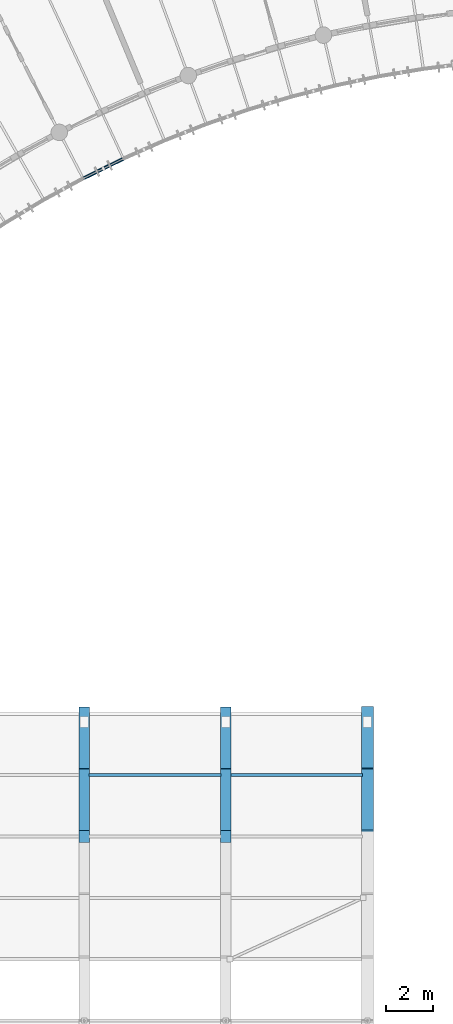
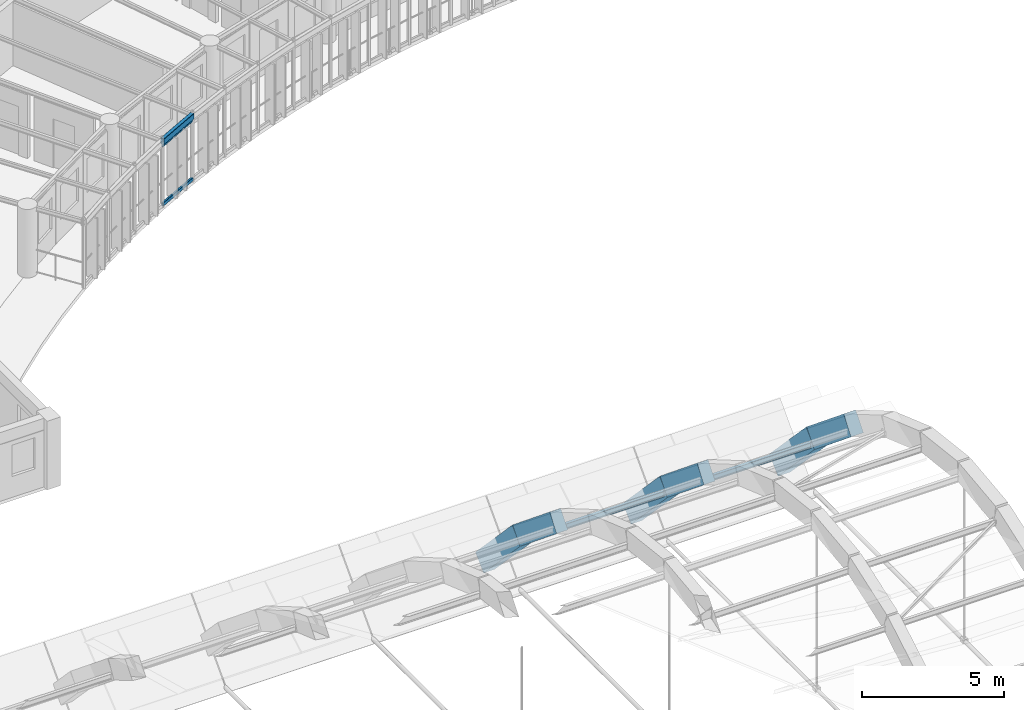
# One storey, part 43 of 123: 9 beams, 2 members.
"""IFC4 building model written with IfcOpenShell, lengths in metres."""

import ifcopenshell
import ifcopenshell.guid

model = None  # the IFC model being written
_history = None  # IfcOwnerHistory: only IFC2X3 demands one
_inside = {}  # id of a spatial element -> (the spatial element, [elements in it])
_under = {}  # id of a project, library or spatial element -> (it, [spatial elements below it])
_declared = {}  # id of a project -> (the project, [libraries it declares])
_typed = {}  # id of a type object -> (the type object, [elements of that type])
_made_of = {}  # id of a material, layer set ... -> (it, [elements and type objects made of it])


def new_model(schema):
    """Start an empty IFC model of exactly this schema.

    Asked for "IFC4X3", IfcOpenShell would pick the latest addendum, in which some entities
    have other attributes; the version numbers below select the first issue.
    IFC2X3 requires an IfcOwnerHistory on every rooted entity: one is made here for all.
    """
    global model, _history
    if schema == "IFC4X3":
        model = ifcopenshell.file(schema_version=(4, 3, 0, 0))
    else:
        model = ifcopenshell.file(schema=schema)
    _inside.clear()
    _under.clear()
    _declared.clear()
    _typed.clear()
    _made_of.clear()
    _history = None
    if model.schema == "IFC2X3":
        org = make("IfcOrganization", Name="unknown")
        user = make(
            "IfcPersonAndOrganization",
            ThePerson=make("IfcPerson", FamilyName="unknown"),
            TheOrganization=org,
        )
        app = make(
            "IfcApplication",
            ApplicationDeveloper=org,
            Version="unknown",
            ApplicationFullName="unknown",
            ApplicationIdentifier="unknown",
        )
        _history = make(
            "IfcOwnerHistory",
            OwningUser=user,
            OwningApplication=app,
            ChangeAction="ADDED",
            CreationDate=0,
        )
    return model


def make(cls, **values):
    """One entity of the class cls with the attributes given. An attribute that is None is left unset."""
    return model.create_entity(
        cls, **{name: value for name, value in values.items() if value is not None}
    )


def rooted(cls, **values):
    """An entity with a GlobalId (a new one), such as an element, a storey or a relation."""
    return make(cls, GlobalId=ifcopenshell.guid.new(), OwnerHistory=_history, **values)


def si_unit(unit_type, name, prefix=None):
    """IfcSIUnit, for example si_unit("LENGTHUNIT", "METRE", prefix="MILLI")."""
    return make("IfcSIUnit", UnitType=unit_type, Prefix=prefix, Name=name)


def assignment(units):
    """IfcUnitAssignment: the units of a project."""
    return None if units is None else make("IfcUnitAssignment", Units=units)


def point(xyz):
    """IfcCartesianPoint."""
    return None if xyz is None else make("IfcCartesianPoint", Coordinates=xyz)


def direction(xyz):
    """IfcDirection."""
    return None if xyz is None else make("IfcDirection", DirectionRatios=xyz)


def frame(location, z_axis=None, x_axis=None):
    """IfcAxis2Placement3D, a coordinate frame: its origin and axes. An axis left out is left unset."""
    return make(
        "IfcAxis2Placement3D",
        Location=point(location),
        Axis=direction(z_axis),
        RefDirection=direction(x_axis),
    )


def frame_2d(location, x_axis=None):
    """IfcAxis2Placement2D, a coordinate frame in the plane: its origin and x axis."""
    return make(
        "IfcAxis2Placement2D", Location=point(location), RefDirection=direction(x_axis)
    )


def origin():
    """The frame at (0, 0, 0) with its axes left unset."""
    return frame((0.0, 0.0, 0.0))


def origin_2d():
    """The frame at (0, 0) in the plane with its x axis left unset."""
    return frame_2d((0.0, 0.0))


def place(relative_to, where):
    """IfcLocalPlacement: puts the frame where relative to a parent placement (None: the world)."""
    return make(
        "IfcLocalPlacement", PlacementRelTo=relative_to, RelativePlacement=where
    )


def context(
    kind, dimensions, precision=None, world=None, true_north=None, identifier=None
):
    """IfcGeometricRepresentationContext, for example the 3D "Model" context."""
    return make(
        "IfcGeometricRepresentationContext",
        ContextIdentifier=identifier,
        ContextType=kind,
        CoordinateSpaceDimension=dimensions,
        Precision=precision,
        WorldCoordinateSystem=world,
        TrueNorth=true_north,
    )


def subcontext(parent, identifier, kind, view, scale=None):
    """IfcGeometricRepresentationSubContext, for example "Body" below "Model"."""
    return make(
        "IfcGeometricRepresentationSubContext",
        ContextIdentifier=identifier,
        ContextType=kind,
        ParentContext=parent,
        TargetScale=scale,
        TargetView=view,
    )


def project(units=None, contexts=None):
    """IfcProject with its units and contexts."""
    return rooted(
        "IfcProject",
        Name="project",
        RepresentationContexts=contexts,
        UnitsInContext=assignment(units),
    )


def spatial(cls, under=None, at=None, **own):
    """A site, building, storey or space (cls), placed at a placement, below another one or the project."""
    s = rooted(cls, ObjectPlacement=at, **own)
    if under is not None:
        _under.setdefault(under.id(), (under, []))[1].append(s)
    return s


def profile(cls, at=None, kind="AREA", **sizes):
    """A parametric profile (cls). Its sizes go by their IFC names, for example OverallWidth=200.0."""
    return make(cls, ProfileType=kind, Position=at, **sizes)


def rectangle(**sizes):
    """IfcRectangleProfileDef."""
    return profile("IfcRectangleProfileDef", **sizes)


def hollow_rectangle(**sizes):
    """IfcRectangleHollowProfileDef."""
    return profile("IfcRectangleHollowProfileDef", **sizes)


def i_section(**sizes):
    """IfcIShapeProfileDef."""
    return profile("IfcIShapeProfileDef", **sizes)


def extrude(swept, where, along, depth):
    """IfcExtrudedAreaSolid: the profile swept, set in the frame where, extruded along a direction by depth."""
    return make(
        "IfcExtrudedAreaSolid",
        SweptArea=swept,
        Position=where,
        ExtrudedDirection=direction(along),
        Depth=depth,
    )


def shape(context_of_items, identifier, shape_type, items):
    """IfcShapeRepresentation: the items that make up one representation, for example the "Body"."""
    return make(
        "IfcShapeRepresentation",
        ContextOfItems=context_of_items,
        RepresentationIdentifier=identifier,
        RepresentationType=shape_type,
        Items=items,
    )


def material(Name=None, Category=None):
    """IfcMaterial."""
    return make("IfcMaterial", Name=Name, Category=Category)


def material_profile(
    of_material, cross_section, Name=None, Category=None, Priority=None
):
    """IfcMaterialProfile: a cross section and its material."""
    return make(
        "IfcMaterialProfile",
        Name=Name,
        Material=of_material,
        Profile=cross_section,
        Priority=Priority,
        Category=Category,
    )


def profile_set(profiles, Name=None, composite=None):
    """IfcMaterialProfileSet."""
    return make(
        "IfcMaterialProfileSet",
        Name=Name,
        MaterialProfiles=profiles,
        CompositeProfile=composite,
    )


def made_of(thing, what):
    """Note that an element or type object is made of a material, layer set ...; save() writes the relation."""
    if what is not None:
        _made_of.setdefault(what.id(), (what, []))[1].append(thing)
    return thing


def type_object(cls, material=None, **own):
    """A type object (cls), such as IfcWallType, which elements share."""
    return made_of(rooted(cls, **own), material)


def element(
    cls,
    number,
    at=None,
    inside=None,
    cuts=None,
    type_object=None,
    material=None,
    context=None,
    identifier="Body",
    shape_type=None,
    held_by="IfcProductDefinitionShape",
    body=None,
    shapes=None,
    **own,
):
    """One element of the class cls, such as IfcWall. Its Tag is "e" and its number.

    at: its placement. inside: the storey or other place that contains it. cuts: it is an
    opening in that element (IfcRelVoidsElement). A single representation is given by context,
    identifier, shape_type and body (its items); several are given by shapes. held_by: the class
    of the entity that holds the representations. save() writes the other relations.
    """
    e = rooted(cls, Tag="e%d" % number, ObjectPlacement=at, **own)
    if body is not None:
        shapes = [shape(context, identifier, shape_type, body)]
    if shapes is not None:
        e.Representation = make(held_by, Representations=shapes)
    if inside is not None:
        _inside.setdefault(inside.id(), (inside, []))[1].append(e)
    if cuts is not None:
        rooted(
            "IfcRelVoidsElement", RelatingBuildingElement=cuts, RelatedOpeningElement=e
        )
    if type_object is not None:
        _typed.setdefault(type_object.id(), (type_object, []))[1].append(e)
    return made_of(e, material)


def aggregate(whole, parts):
    """IfcRelAggregates: a whole, such as a stair, and the parts it consists of."""
    return rooted("IfcRelAggregates", RelatingObject=whole, RelatedObjects=parts)


def save(model, path):
    """Write the relations noted so far, then the file.

    IfcRelAggregates (storeys below a building ...), IfcRelContainedInSpatialStructure (elements
    in a storey), IfcRelDefinesByType, IfcRelAssociatesMaterial and IfcRelDeclares: one each for
    every whole, place, type object, material and project.
    """
    for whole, parts in _under.values():
        aggregate(whole, parts)
    for where, things in _inside.values():
        rooted(
            "IfcRelContainedInSpatialStructure",
            RelatedElements=things,
            RelatingStructure=where,
        )
    for kind, things in _typed.values():
        rooted("IfcRelDefinesByType", RelatedObjects=things, RelatingType=kind)
    for what, things in _made_of.values():
        rooted("IfcRelAssociatesMaterial", RelatedObjects=things, RelatingMaterial=what)
    for by, libraries in _declared.values():
        rooted("IfcRelDeclares", RelatingContext=by, RelatedDefinitions=libraries)
    model.write(path)


model = new_model("IFC4")

# Units and contexts
model_context = context("Model", 3, precision=1e-05, world=origin(), true_north=direction((0.0, 1.0)))
body_context = subcontext(model_context, "Body", "Model", "MODEL_VIEW")
ifc_project = project(units=[si_unit("LENGTHUNIT", "METRE"), si_unit("AREAUNIT", "SQUARE_METRE"), si_unit("VOLUMEUNIT", "CUBIC_METRE"), si_unit("PLANEANGLEUNIT", "RADIAN"), si_unit("MASSUNIT", "GRAM", prefix="KILO"), si_unit("POWERUNIT", "WATT"), si_unit("THERMODYNAMICTEMPERATUREUNIT", "KELVIN")], contexts=[model_context])

# Site, building, storey
site_placement = place(None, origin())
site = spatial("IfcSite", under=ifc_project, at=site_placement, CompositionType="ELEMENT")
building_placement = place(site_placement, origin())
building = spatial("IfcBuilding", under=site, at=building_placement, Name="Ruvembo Vaulted Housing Court", CompositionType="ELEMENT")
storey_placement = place(building_placement, frame((0.0, 0.0, 7.699951171875)))
storey = spatial("IfcBuildingStorey", under=building, at=storey_placement, Name="L02", CompositionType="ELEMENT", Elevation=7.699951171875)

# Beams
ifc_material_1 = material(Name="Concrete C35/45", Category="concrete")
ifc_material_profile_1 = material_profile(ifc_material_1, rectangle(XDim=0.449951171875, YDim=0.800048828125, at=origin_2d()), Name="RC 450x800")
ifc_profile_set_1 = profile_set([ifc_material_profile_1], Name="Concrete C35/45")
beam_type_1 = type_object("IfcBeamType", Name="AR-RC-450x800", PredefinedType="BEAM", material=ifc_profile_set_1)
beam_1_placement = place(storey_placement, frame((96.0, 62.800048828125, 3.364013671875), z_axis=(0.0, 0.773843967543, -0.633376281445), x_axis=(-1.0, 0.0, 0.0)))
element("IfcBeam", 1, at=beam_1_placement, inside=storey, type_object=beam_type_1, Name="Community Hall Parabolic Arch Rib AR-06 Seg 9", PredefinedType="BEAM", context=body_context, shape_type="SweptSolid", body=[
    extrude(rectangle(XDim=0.449951171875, YDim=0.800048828125, at=origin_2d()), origin(), (0.0, 0.0, 1.0), 3.359619140625),
])
beam_2_placement = place(storey_placement, frame((96.0, 65.39990234375, 1.236083984375), z_axis=(0.0, 0.688863348141, -0.724891224659), x_axis=(-1.0, 0.0, 0.0)))
element("IfcBeam", 2, at=beam_2_placement, inside=storey, type_object=beam_type_1, Name="Community Hall Parabolic Arch Rib AR-06 Seg 10", PredefinedType="BEAM", context=body_context, shape_type="SweptSolid", body=[
    extrude(rectangle(XDim=0.449951171875, YDim=0.800048828125, at=origin_2d()), origin(), (0.0, 0.0, 1.0), 3.7744140625),
])
beam_3_placement = place(storey_placement, frame((102.0, 62.800048828125, 3.364013671875), z_axis=(0.0, 0.773843967543, -0.633376281445), x_axis=(-1.0, 0.0, 0.0)))
element("IfcBeam", 3, at=beam_3_placement, inside=storey, type_object=beam_type_1, Name="Community Hall Parabolic Arch Rib AR-07 Seg 9", PredefinedType="BEAM", context=body_context, shape_type="SweptSolid", body=[
    extrude(rectangle(XDim=0.449951171875, YDim=0.800048828125, at=origin_2d()), origin(), (0.0, 0.0, 1.0), 3.359619140625),
])
beam_4_placement = place(storey_placement, frame((102.0, 65.39990234375, 1.236083984375), z_axis=(0.0, 0.688863348141, -0.724891224659), x_axis=(-1.0, 0.0, 0.0)))
element("IfcBeam", 4, at=beam_4_placement, inside=storey, type_object=beam_type_1, Name="Community Hall Parabolic Arch Rib AR-07 Seg 10", PredefinedType="BEAM", context=body_context, shape_type="SweptSolid", body=[
    extrude(rectangle(XDim=0.449951171875, YDim=0.800048828125, at=origin_2d()), origin(), (0.0, 0.0, 1.0), 3.7744140625),
])
ifc_material_profile_2 = material_profile(ifc_material_1, rectangle(XDim=0.5, YDim=0.85009765625, at=origin_2d()), Name="RC 500x850")
ifc_profile_set_2 = profile_set([ifc_material_profile_2], Name="Concrete C35/45")
beam_type_2 = type_object("IfcBeamType", Name="AR-RC-500x850", PredefinedType="BEAM", material=ifc_profile_set_2)
beam_5_placement = place(storey_placement, frame((108.0, 62.800048828125, 3.364013671875), z_axis=(0.0, 0.773843967543, -0.633376281445), x_axis=(-1.0, 0.0, 0.0)))
element("IfcBeam", 5, at=beam_5_placement, inside=storey, type_object=beam_type_2, Name="Community Hall Parabolic Arch Rib AR-08 Seg 9", PredefinedType="BEAM", context=body_context, shape_type="SweptSolid", body=[
    extrude(rectangle(XDim=0.5, YDim=0.85009765625, at=origin_2d()), origin(), (0.0, 0.0, 1.0), 3.359619140625),
])
beam_6_placement = place(storey_placement, frame((108.0, 65.39990234375, 1.236083984375), z_axis=(0.0, 0.688863348141, -0.724891224659), x_axis=(-1.0, 0.0, 0.0)))
element("IfcBeam", 6, at=beam_6_placement, inside=storey, type_object=beam_type_2, Name="Community Hall Parabolic Arch Rib AR-08 Seg 10", PredefinedType="BEAM", context=body_context, shape_type="SweptSolid", body=[
    extrude(rectangle(XDim=0.5, YDim=0.85009765625, at=origin_2d()), origin(), (0.0, 0.0, 1.0), 3.7744140625),
])
ifc_material_2 = material(Name="Steel S355J2", Category="steel")
ifc_material_profile_3 = material_profile(ifc_material_2, i_section(OverallWidth=0.1201171875, OverallDepth=0.239990234375, WebThickness=0.006103515625, FlangeThickness=0.009765625, FilletRadius=0.014892578125, at=origin_2d()), Name="IPE 240")
ifc_profile_set_3 = profile_set([ifc_material_profile_3], Name="Steel S355J2")
beam_type_3 = type_object("IfcBeamType", Name="BM-ST-IPE240", PredefinedType="BEAM", material=ifc_profile_set_3)
for number, where, z_axis, x_axis, name in (
    (7, (96.2099609375, 65.39990234375, 0.9560546875), (1.0, 0.0, 0.0), (0.0, 1.0, 0.0), "Vault Bay 6 Steel Purlin K9"),
    (8, (102.2099609375, 65.39990234375, 0.9560546875), (1.0, 0.0, 0.0), (0.0, 1.0, 0.0), "Vault Bay 7 Steel Purlin K9"),
):
    element("IfcBeam", number, at=place(storey_placement, frame(where, z_axis=z_axis, x_axis=x_axis)), inside=storey, type_object=beam_type_3, Name=name, PredefinedType="BEAM", context=body_context, shape_type="SweptSolid", body=[
        extrude(i_section(OverallWidth=0.1201171875, OverallDepth=0.239990234375, WebThickness=0.006103515625, FlangeThickness=0.009765625, FilletRadius=0.014892578125, at=origin_2d()), origin(), (0.0, 0.0, 1.0), 5.580078125),
    ])
ifc_material_profile_4 = material_profile(ifc_material_2, hollow_rectangle(XDim=0.14990234375, YDim=0.25, WallThickness=0.010009765625, InnerFilletRadius=0.010009765625, OuterFilletRadius=0.02001953125, at=origin_2d()), Name="RHS 250x150x10")
ifc_profile_set_4 = profile_set([ifc_material_profile_4], Name="Steel S355J2")
beam_type_4 = type_object("IfcBeamType", Name="BM-ST-RHS250", PredefinedType="SPANDREL", material=ifc_profile_set_4)
beam_7_placement = place(storey_placement, frame((95.95751953125, 90.6796875, 2.81494140625), z_axis=(0.897513310314, 0.44098736695, 0.0), x_axis=(-0.44098736695, 0.897513310314, 0.0)))
element("IfcBeam", 9, at=beam_7_placement, inside=storey, type_object=beam_type_4, Name="Scoop SC3 L02 Balcony Edge Spandrel 3", PredefinedType="SPANDREL", context=body_context, shape_type="SweptSolid", body=[
    extrude(hollow_rectangle(XDim=0.14990234375, YDim=0.25, WallThickness=0.010009765625, InnerFilletRadius=0.010009765625, OuterFilletRadius=0.02001953125, at=origin_2d()), origin(), (0.0, 0.0, 1.0), 1.901123046875),
])

# Members
ifc_material_profile_5 = material_profile(ifc_material_2, hollow_rectangle(XDim=0.06005859375, YDim=0.1201171875, WallThickness=0.0048828125, InnerFilletRadius=0.0048828125, OuterFilletRadius=0.010009765625, at=origin_2d()), Name="RHS 120x60x5")
ifc_profile_set_5 = profile_set([ifc_material_profile_5], Name="Steel S355J2")
member_type_1 = type_object("IfcMemberType", Name="MEM-CAR-RHS120", PredefinedType="CHORD", material=ifc_profile_set_5)
member_1_placement = place(storey_placement, frame((95.95751953125, 90.6796875, 2.633056640625), z_axis=(0.897513310314, 0.44098736695, 0.0), x_axis=(-0.44098736695, 0.897513310314, 0.0)))
element("IfcMember", 10, at=member_1_placement, inside=storey, type_object=member_type_1, Name="Scoop SC3 L02 Upper Louvre Carrier Rail 3", PredefinedType="CHORD", context=body_context, shape_type="SweptSolid", body=[
    extrude(hollow_rectangle(XDim=0.06005859375, YDim=0.1201171875, WallThickness=0.0048828125, InnerFilletRadius=0.0048828125, OuterFilletRadius=0.010009765625, at=origin_2d()), origin(), (0.0, 0.0, 1.0), 1.901123046875),
])
ifc_material_profile_6 = material_profile(ifc_material_2, hollow_rectangle(XDim=0.080078125, YDim=0.14990234375, WallThickness=0.00634765625, InnerFilletRadius=0.00634765625, OuterFilletRadius=0.0126953125, at=origin_2d()), Name="RHS 150x80x6.3")
ifc_profile_set_6 = profile_set([ifc_material_profile_6], Name="Steel S355J2")
member_type_2 = type_object("IfcMemberType", Name="MEM-CAR-RHS150", PredefinedType="CHORD", material=ifc_profile_set_6)
member_2_placement = place(storey_placement, frame((95.95751953125, 90.6796875, 0.094970703125), z_axis=(0.897513310314, 0.44098736695, 0.0), x_axis=(-0.44098736695, 0.897513310314, 0.0)))
element("IfcMember", 11, at=member_2_placement, inside=storey, type_object=member_type_2, Name="Scoop SC3 L02 Lower Louvre Carrier Rail 3", PredefinedType="CHORD", context=body_context, shape_type="SweptSolid", body=[
    extrude(hollow_rectangle(XDim=0.080078125, YDim=0.14990234375, WallThickness=0.00634765625, InnerFilletRadius=0.00634765625, OuterFilletRadius=0.0126953125, at=origin_2d()), origin(), (0.0, 0.0, 1.0), 1.901123046875),
])

save(model, "model.ifc")
